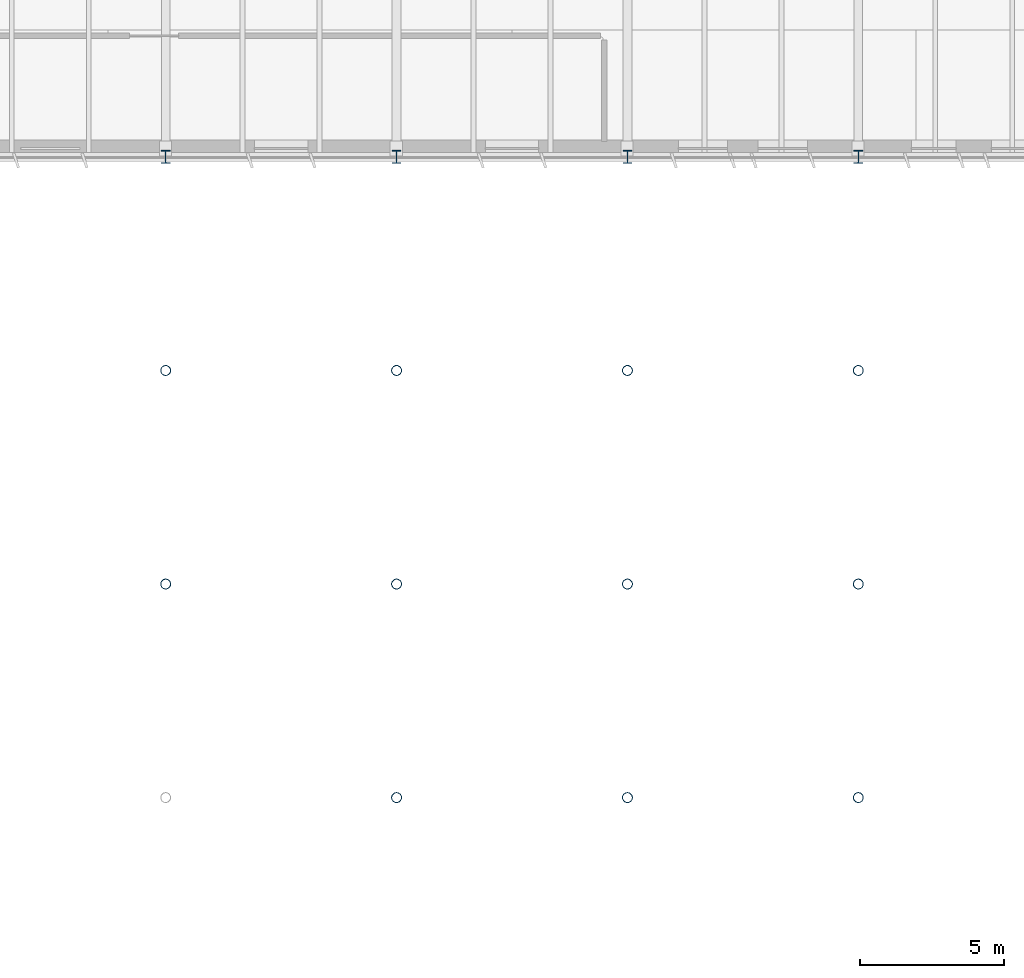
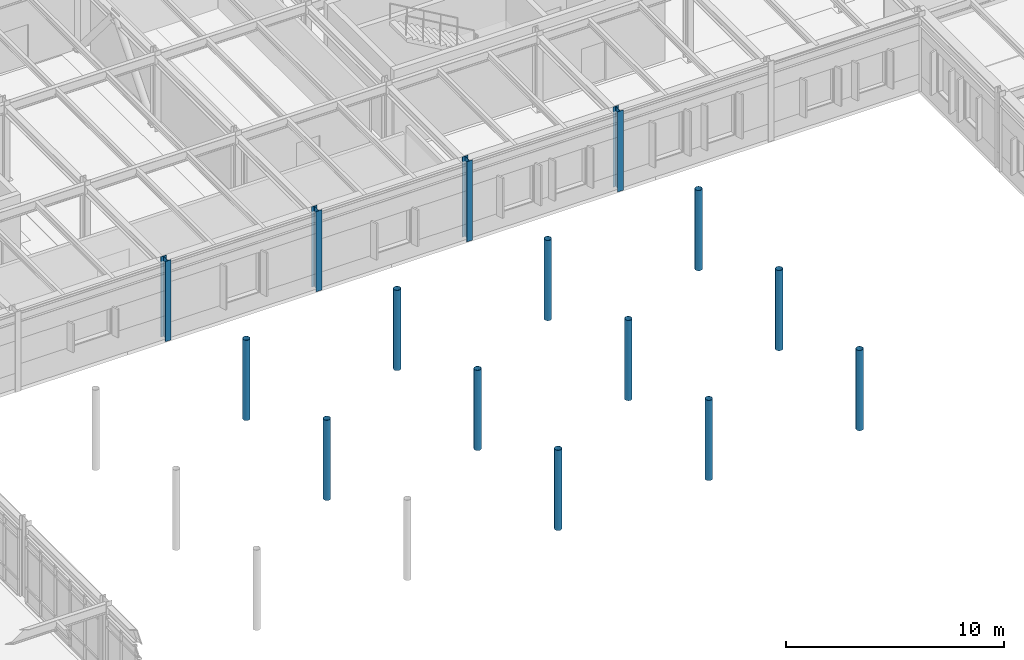
# One storey, part 6 of 75: 15 columns.
"""IFC4 building model written with IfcOpenShell, lengths in metres."""

from ifc_helpers import new_model, si_unit, direction, frame, origin, origin_2d, place, context, subcontext, project, spatial, hollow_circle, i_section, extrude, material, material_profile, profile_set, type_object, element, save


model = new_model("IFC4")

# Units and contexts
model_context = context("Model", 3, precision=1e-05, world=origin(), true_north=direction((0.0, 1.0)))
body_context = subcontext(model_context, "Body", "Model", "MODEL_VIEW")
ifc_project = project(units=[si_unit("LENGTHUNIT", "METRE"), si_unit("AREAUNIT", "SQUARE_METRE"), si_unit("VOLUMEUNIT", "CUBIC_METRE"), si_unit("PLANEANGLEUNIT", "RADIAN"), si_unit("MASSUNIT", "GRAM", prefix="KILO")], contexts=[model_context])

# Site, building, storey
site_placement = place(None, origin())
site = spatial("IfcSite", under=ifc_project, at=site_placement, CompositionType="ELEMENT")
building_placement = place(site_placement, origin())
building = spatial("IfcBuilding", under=site, at=building_placement, Name="Valkorina Park Police Headquarters", CompositionType="ELEMENT")
storey_placement = place(building_placement, frame((0.0, 0.0, 5.39990234375)))
storey = spatial("IfcBuildingStorey", under=building, at=storey_placement, Name="L02", CompositionType="ELEMENT", Elevation=5.39990234375)

# Columns
ifc_material = material(Name="Steel S355", Category="steel")
ifc_material_profile_1 = material_profile(ifc_material, hollow_circle(Radius=0.177734375, WallThickness=0.01611328125, at=origin_2d()), Name="CHS 355.6x16")
ifc_profile_set_1 = profile_set([ifc_material_profile_1], Name="Steel S355")
column_type_1 = type_object("IfcColumnType", Name="COL-S355-CHS355-EXT", PredefinedType="COLUMN", material=ifc_profile_set_1)
for number, where, z_axis, x_axis, name in (
    (1, (96.800048828125, 44.39990234375, 0.0), (0.0, 0.0, 1.0), (1.0, 0.0, 0.0), "L02 Column 0628"),
    (2, (96.800048828125, 51.800048828125, 0.0), (0.0, 0.0, 1.0), (1.0, 0.0, 0.0), "L02 Column 0629"),
    (3, (104.800048828125, 37.0, 0.0), (0.0, 0.0, 1.0), (1.0, 0.0, 0.0), "L02 Column 0638"),
    (4, (104.800048828125, 44.39990234375, 0.0), (0.0, 0.0, 1.0), (1.0, 0.0, 0.0), "L02 Column 0639"),
    (5, (104.800048828125, 51.800048828125, 0.0), (0.0, 0.0, 1.0), (1.0, 0.0, 0.0), "L02 Column 0640"),
    (6, (112.800048828125, 37.0, 0.0), (0.0, 0.0, 1.0), (1.0, 0.0, 0.0), "L02 Column 0649"),
    (7, (112.800048828125, 44.39990234375, 0.0), (0.0, 0.0, 1.0), (1.0, 0.0, 0.0), "L02 Column 0650"),
    (8, (112.800048828125, 51.800048828125, 0.0), (0.0, 0.0, 1.0), (1.0, 0.0, 0.0), "L02 Column 0651"),
    (9, (120.800048828125, 37.0, 0.0), (0.0, 0.0, 1.0), (1.0, 0.0, 0.0), "L02 Column 0660"),
    (10, (120.800048828125, 44.39990234375, 0.0), (0.0, 0.0, 1.0), (1.0, 0.0, 0.0), "L02 Column 0661"),
    (11, (120.800048828125, 51.800048828125, 0.0), (0.0, 0.0, 1.0), (1.0, 0.0, 0.0), "L02 Column 0662"),
):
    element("IfcColumn", number, at=place(storey_placement, frame(where, z_axis=z_axis, x_axis=x_axis)), inside=storey, type_object=column_type_1, Name=name, PredefinedType="COLUMN", context=body_context, shape_type="SweptSolid", body=[
        extrude(hollow_circle(Radius=0.177734375, WallThickness=0.01611328125, at=origin_2d()), origin(), (0.0, 0.0, 1.0), 4.5),
    ])
ifc_material_profile_2 = material_profile(ifc_material, i_section(OverallWidth=0.300048828125, OverallDepth=0.449951171875, WebThickness=0.013916015625, FlangeThickness=0.02587890625, FilletRadius=0.027099609375, at=origin_2d()), Name="HEB 450")
ifc_profile_set_2 = profile_set([ifc_material_profile_2], Name="Steel S355")
column_type_2 = type_object("IfcColumnType", Name="COL-S355-HEB450-EXT", PredefinedType="COLUMN", material=ifc_profile_set_2)
for number, where, z_axis, x_axis, name in (
    (12, (96.800048828125, 59.199951171875, 0.0), (0.0, 0.0, 1.0), (1.0, 0.0, 0.0), "L02 Column 0630"),
    (13, (104.800048828125, 59.199951171875, 0.0), (0.0, 0.0, 1.0), (1.0, 0.0, 0.0), "L02 Column 0641"),
    (14, (112.800048828125, 59.199951171875, 0.0), (0.0, 0.0, 1.0), (1.0, 0.0, 0.0), "L02 Column 0652"),
    (15, (120.800048828125, 59.199951171875, 0.0), (0.0, 0.0, 1.0), (1.0, 0.0, 0.0), "L02 Column 0663"),
):
    element("IfcColumn", number, at=place(storey_placement, frame(where, z_axis=z_axis, x_axis=x_axis)), inside=storey, type_object=column_type_2, Name=name, PredefinedType="COLUMN", context=body_context, shape_type="SweptSolid", body=[
        extrude(i_section(OverallWidth=0.300048828125, OverallDepth=0.449951171875, WebThickness=0.013916015625, FlangeThickness=0.02587890625, FilletRadius=0.027099609375, at=origin_2d()), origin(), (0.0, 0.0, 1.0), 4.5),
    ])

save(model, "model.ifc")
